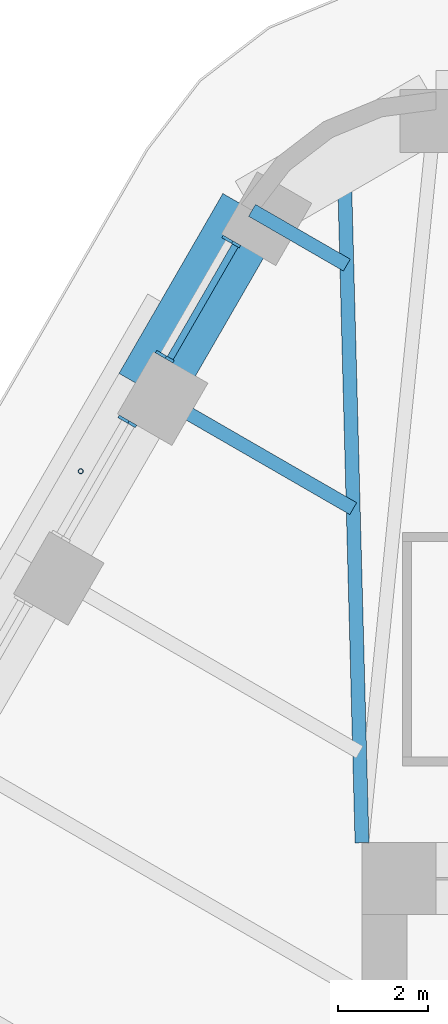
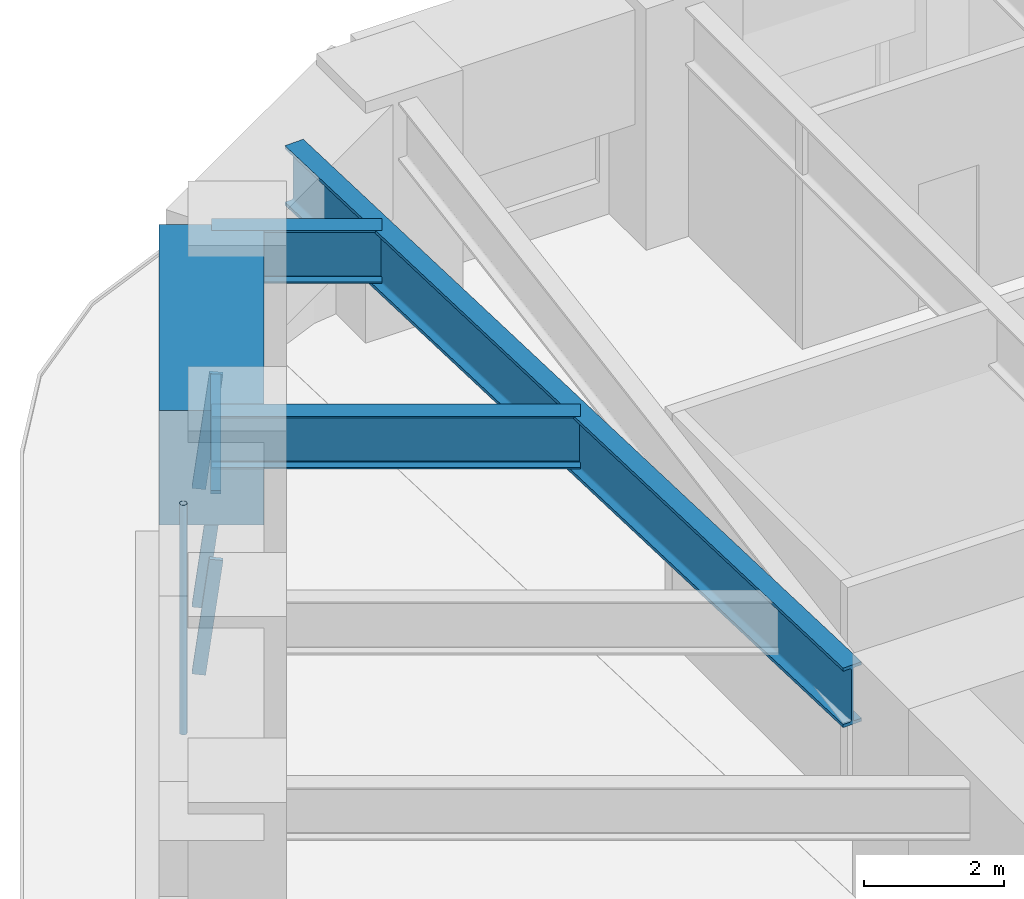
# One storey, part 8 of 20: 5 members, 4 beams, 2 elements without a shape of their own.
"""IFC4 building model written with IfcOpenShell, lengths in metres."""

from ifc_helpers import new_model, si_unit, direction, frame, origin, origin_2d, place, context, subcontext, project, spatial, rectangle, hollow_circle, i_section, extrude, material, material_profile, profile_set, type_object, element, aggregate, save


model = new_model("IFC4")

# Units and contexts
model_context = context("Model", 3, precision=1e-05, world=origin(), true_north=direction((0.0, 1.0)))
body_context = subcontext(model_context, "Body", "Model", "MODEL_VIEW")
ifc_project = project(units=[si_unit("LENGTHUNIT", "METRE"), si_unit("AREAUNIT", "SQUARE_METRE"), si_unit("VOLUMEUNIT", "CUBIC_METRE"), si_unit("PLANEANGLEUNIT", "RADIAN"), si_unit("MASSUNIT", "GRAM", prefix="KILO")], contexts=[model_context])

# Site, building, storey
site_placement = place(None, origin())
site = spatial("IfcSite", under=ifc_project, at=site_placement, CompositionType="ELEMENT")
building_placement = place(site_placement, origin())
building = spatial("IfcBuilding", under=site, at=building_placement, Name="Tarfa Lantern Tower", CompositionType="ELEMENT")
storey_placement = place(building_placement, frame((0.0, 0.0, 223.89990234375)))
storey = spatial("IfcBuildingStorey", under=building, at=storey_placement, Name="L50", CompositionType="ELEMENT", Elevation=223.89990234375)

# Curtain wall, members
ifc_material_1 = material(Name="Aluminium framed curtain wall", Category="aluminium")
curtain_wall_type = type_object("IfcCurtainWallType", Name="CW3 CANTED GLAZING HIGH ZONE 2000", PredefinedType="USERDEFINED", material=ifc_material_1)
curtain_wall_1_placement = place(storey_placement, origin())
curtain_wall_1 = element("IfcCurtainWall", 1, at=curtain_wall_1_placement, inside=storey, type_object=curtain_wall_type, Name="CW3 NW L50", ObjectType="CURTAIN WALL", PredefinedType="USERDEFINED")
ifc_material_2 = material(Name="Aluminium mullion", Category="aluminium")
ifc_material_profile_1 = material_profile(ifc_material_2, rectangle(XDim=0.06494140625, YDim=0.199951171875, at=origin_2d()), Name="AL MULLION 65x200")
ifc_profile_set_1 = profile_set([ifc_material_profile_1], Name="Aluminium mullion")
member_type_1 = type_object("IfcMemberType", Name="CWM1 MULLION 65x200", PredefinedType="MULLION", material=ifc_profile_set_1)
member_1_placement = place(storey_placement, frame((-18.51611328125, 25.72900390625, 0.0), z_axis=(0.107439978116, -0.062017213975, 0.992275423596), x_axis=(0.499919672301, 0.866071776036, 0.0)))
member_1 = element("IfcMember", 2, at=member_1_placement, type_object=member_type_1, Name="CW3 mullion 1", PredefinedType="MULLION", context=body_context, shape_type="SweptSolid", body=[
    extrude(rectangle(XDim=0.06494140625, YDim=0.199951171875, at=origin_2d()), origin(), (0.0, 0.0, 1.0), 2.015625),
])
member_2_placement = place(storey_placement, frame((-19.9931640625, 23.1708984375, 0.0), z_axis=(0.107439978116, -0.062017213975, 0.992275423596), x_axis=(0.499919672301, 0.866071776036, 0.0)))
member_2 = element("IfcMember", 3, at=member_2_placement, type_object=member_type_1, Name="CW3 mullion 2", PredefinedType="MULLION", context=body_context, shape_type="SweptSolid", body=[
    extrude(rectangle(XDim=0.06494140625, YDim=0.199951171875, at=origin_2d()), origin(), (0.0, 0.0, 1.0), 2.015625),
])

# Curtain wall, member
curtain_wall_2_placement = place(storey_placement, origin())
curtain_wall_2 = element("IfcCurtainWall", 4, at=curtain_wall_2_placement, inside=storey, type_object=curtain_wall_type, Name="CW3 NW L50", ObjectType="CURTAIN WALL", PredefinedType="USERDEFINED")
member_3_placement = place(storey_placement, frame((-20.82568359375, 21.72900390625, 0.0), z_axis=(0.107439978116, -0.062017213975, 0.992275423596), x_axis=(0.499919672301, 0.866071776036, 0.0)))
member_3 = element("IfcMember", 5, at=member_3_placement, type_object=member_type_1, Name="CW3 mullion 1", PredefinedType="MULLION", context=body_context, shape_type="SweptSolid", body=[
    extrude(rectangle(XDim=0.06494140625, YDim=0.199951171875, at=origin_2d()), origin(), (0.0, 0.0, 1.0), 2.015625),
])
aggregate(curtain_wall_2, [member_3])

# Member
ifc_material_3 = material(Name="Aluminium transom", Category="aluminium")
ifc_material_profile_2 = material_profile(ifc_material_3, rectangle(XDim=0.14990234375, YDim=0.06494140625, at=origin_2d()), Name="AL TRANSOM 150x65")
ifc_profile_set_2 = profile_set([ifc_material_profile_2], Name="Aluminium transom")
member_type_2 = type_object("IfcMemberType", Name="CWT1 TRANSOM 150x65", PredefinedType="USERDEFINED", material=ifc_profile_set_2)
member_4_placement = place(storey_placement, frame((-18.3193359375, 25.577880859375, 1.967529296875), z_axis=(-0.500056524144, -0.865992767095, 0.0), x_axis=(0.865992767095, -0.500056524144, 0.0)))
member_4 = element("IfcMember", 6, at=member_4_placement, type_object=member_type_2, Name="CW3 transom 1.2", ObjectType="TRANSOM", PredefinedType="USERDEFINED", context=body_context, shape_type="SweptSolid", body=[
    extrude(rectangle(XDim=0.14990234375, YDim=0.06494140625, at=origin_2d()), origin(), (0.0, 0.0, 1.0), 2.888916015625),
])

aggregate(curtain_wall_1, [member_1, member_2, member_4])

# Beam
ifc_material_4 = material(Name="Concrete C80/95", Category="concrete")
ifc_material_profile_3 = material_profile(ifc_material_4, rectangle(XDim=1.5, YDim=2.0, at=origin_2d()), Name="RC 1500x2000")
ifc_profile_set_3 = profile_set([ifc_material_profile_3], Name="Concrete C80/95")
beam_type_1 = type_object("IfcBeamType", Name="RB3 RC 1500x2000", PredefinedType="BEAM", material=ifc_profile_set_3)
beam_1_placement = place(storey_placement, frame((-17.944091796875, 26.360107421875, 3.0), z_axis=(-0.499987836815, -0.866032426089, 0.0), x_axis=(0.866032426089, -0.499987836815, 0.0)))
element("IfcBeam", 7, at=beam_1_placement, inside=storey, type_object=beam_type_1, Name="Edge beam NW0", PredefinedType="BEAM", context=body_context, shape_type="SweptSolid", body=[
    extrude(rectangle(XDim=1.5, YDim=2.0, at=origin_2d()), origin(), (0.0, 0.0, 1.0), 4.61865234375),
])

# Member
ifc_material_5 = material(Name="Steel S355", Category="steel")
ifc_material_profile_4 = material_profile(ifc_material_5, hollow_circle(Radius=0.05712890625, WallThickness=0.00634765625, at=origin_2d()), Name="CHS114.3x6.3")
ifc_profile_set_4 = profile_set([ifc_material_profile_4], Name="Steel S355")
member_type_3 = type_object("IfcMemberType", Name="TR1 GREEN WALL TRELLIS CHS114.3x6.3", PredefinedType="USERDEFINED", material=ifc_profile_set_4)
member_5_placement = place(storey_placement, frame((-21.754638671875, 20.56005859375, 0.0), z_axis=(0.0, 0.0, 1.0), x_axis=(1.0, 0.0, 0.0)))
element("IfcMember", 8, at=member_5_placement, inside=storey, type_object=member_type_3, Name="Trellis post NW 1", ObjectType="TRELLIS", PredefinedType="USERDEFINED", context=body_context, shape_type="SweptSolid", body=[
    extrude(hollow_circle(Radius=0.05712890625, WallThickness=0.00634765625, at=origin_2d()), origin(), (0.0, 0.0, 1.0), 4.0),
])

# Beams
ifc_material_6 = material(Name="Steel S460M", Category="steel")
ifc_material_profile_5 = material_profile(ifc_material_6, i_section(OverallWidth=0.30859375, OverallDepth=1.036376953125, WebThickness=0.030029296875, FlangeThickness=0.05419921875, FilletRadius=0.030029296875, at=origin_2d()), Name="UB1016x305x487")
ifc_profile_set_5 = profile_set([ifc_material_profile_5], Name="Steel S460M")
beam_type_2 = type_object("IfcBeamType", Name="UB1016x305x487", PredefinedType="BEAM", material=ifc_profile_set_5)
beam_2_placement = place(storey_placement, frame((-15.5, 12.300048828125, 3.48193359375), z_axis=(-0.026247301989, 0.999655480222, 0.0), x_axis=(-0.999655480222, -0.026247301989, 0.0)))
element("IfcBeam", 9, at=beam_2_placement, inside=storey, type_object=beam_type_2, Name="Hip girder NW", PredefinedType="BEAM", context=body_context, shape_type="SweptSolid", body=[
    extrude(i_section(OverallWidth=0.30859375, OverallDepth=1.036376953125, WebThickness=0.030029296875, FlangeThickness=0.05419921875, FilletRadius=0.030029296875, at=origin_2d()), origin(), (0.0, 0.0, 1.0), 15.245361328125),
])
ifc_material_profile_6 = material_profile(ifc_material_6, i_section(OverallWidth=0.305419921875, OverallDepth=0.91845703125, WebThickness=0.017333984375, FlangeThickness=0.02783203125, FilletRadius=0.01904296875, at=origin_2d()), Name="UB914x305x253")
ifc_profile_set_6 = profile_set([ifc_material_profile_6], Name="Steel S460M")
beam_type_3 = type_object("IfcBeamType", Name="UB914x305x253", PredefinedType="BEAM", material=ifc_profile_set_6)
beam_3_placement = place(storey_placement, frame((-17.944091796875, 26.360107421875, 3.541015625), z_axis=(0.865980009423, -0.5000786171, 0.0), x_axis=(0.5000786171, 0.865980009423, 0.0)))
element("IfcBeam", 10, at=beam_3_placement, inside=storey, type_object=beam_type_3, Name="Floor beam NW0", PredefinedType="BEAM", context=body_context, shape_type="SweptSolid", body=[
    extrude(i_section(OverallWidth=0.305419921875, OverallDepth=0.91845703125, WebThickness=0.017333984375, FlangeThickness=0.02783203125, FilletRadius=0.01904296875, at=origin_2d()), origin(), (0.0, 0.0, 1.0), 2.4326171875),
])
beam_4_placement = place(storey_placement, frame((-20.25341796875, 22.360107421875, 3.541015625), z_axis=(0.86601951648, -0.500010196972, 0.0), x_axis=(0.500010196972, 0.86601951648, 0.0)))
element("IfcBeam", 11, at=beam_4_placement, inside=storey, type_object=beam_type_3, Name="Floor beam NW1", PredefinedType="BEAM", context=body_context, shape_type="SweptSolid", body=[
    extrude(i_section(OverallWidth=0.305419921875, OverallDepth=0.91845703125, WebThickness=0.017333984375, FlangeThickness=0.02783203125, FilletRadius=0.01904296875, at=origin_2d()), origin(), (0.0, 0.0, 1.0), 5.263671875),
])

save(model, "model.ifc")
